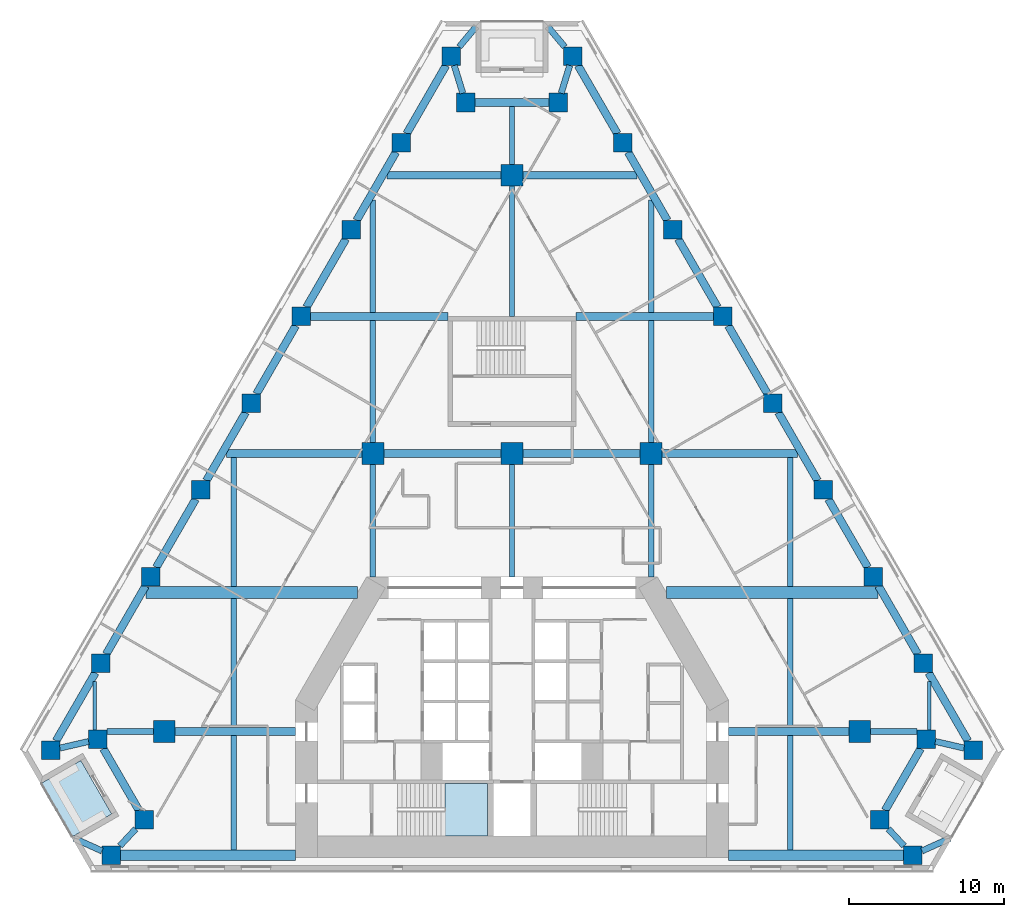
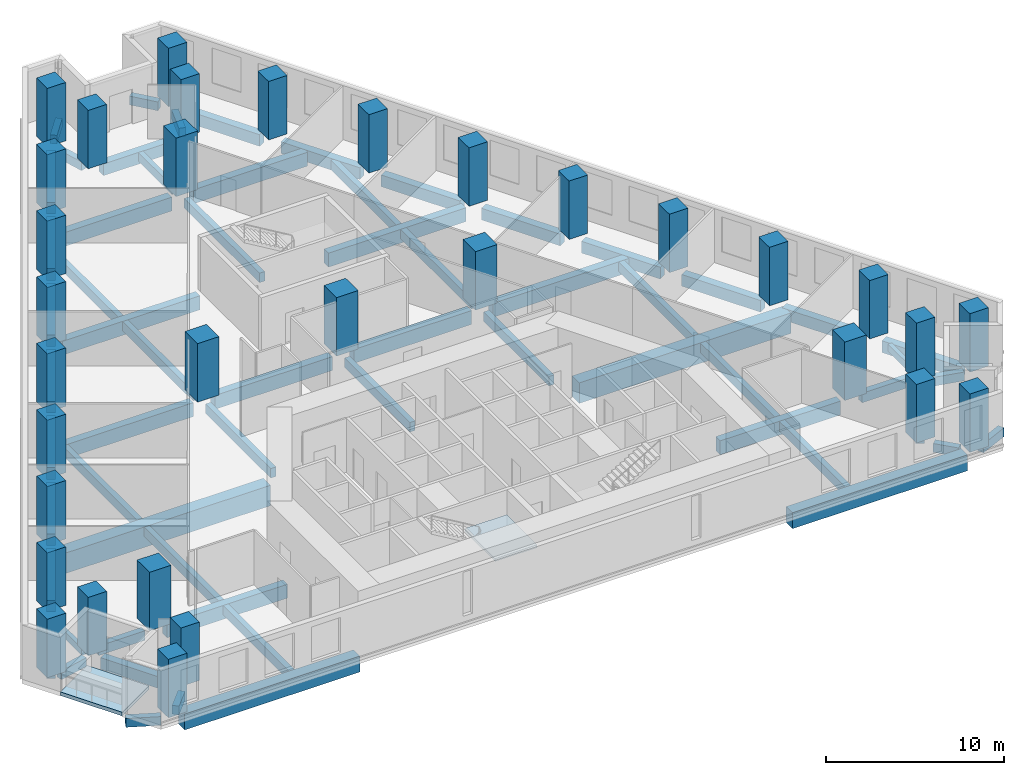
# One storey, part 1 of 11: 62 beams, 32 columns, 2 slabs, 1 element without a shape of its own.
"""IFC4 building model written with IfcOpenShell, lengths in metres."""

from ifc_helpers import new_model, si_unit, direction, frame, origin, origin_2d, place, context, subcontext, project, spatial, polyline, rectangle, outline, extrude, material, layer, layer_set, material_profile, profile_set, type_object, element, aggregate, save


model = new_model("IFC4")

# Units and contexts
model_context = context("Model", 3, precision=1e-05, world=origin(), true_north=direction((0.0, 1.0)))
body_context = subcontext(model_context, "Body", "Model", "MODEL_VIEW")
ifc_project = project(units=[si_unit("LENGTHUNIT", "METRE"), si_unit("AREAUNIT", "SQUARE_METRE"), si_unit("VOLUMEUNIT", "CUBIC_METRE"), si_unit("PLANEANGLEUNIT", "RADIAN"), si_unit("MASSUNIT", "GRAM", prefix="KILO")], contexts=[model_context])

# Site, building, storey
site_placement = place(None, origin())
site = spatial("IfcSite", under=ifc_project, at=site_placement, CompositionType="ELEMENT")
building_placement = place(site_placement, origin())
building = spatial("IfcBuilding", under=site, at=building_placement, Name="Fogline Exchange Tower", CompositionType="ELEMENT")
storey_placement = place(building_placement, frame((0.0, 0.0, 60.89990234375)))
storey = spatial("IfcBuildingStorey", under=building, at=storey_placement, Name="L12", CompositionType="ELEMENT", Elevation=60.89990234375)

# Columns
ifc_material_1 = material(Name="Concrete C80", Category="concrete")
ifc_material_profile_1 = material_profile(ifc_material_1, rectangle(XDim=1.199951171875, YDim=1.199951171875, at=origin_2d()), Name="RC 1200x1200")
ifc_profile_set_1 = profile_set([ifc_material_profile_1], Name="Concrete C80")
column_type_1 = type_object("IfcColumnType", Name="C01", PredefinedType="COLUMN", material=ifc_profile_set_1)
for number, where, z_axis, x_axis, name in (
    (1, (-29.855712890625, 7.794189453125, 0.0), (0.0, 0.0, 1.0), (1.0, 0.0, 0.0), "SW-a"),
    (2, (-26.79638671875, 8.4951171875, 0.0), (0.0, 0.0, 1.0), (1.0, 0.0, 0.0), "SW-p4"),
    (3, (-23.79638671875, 3.299072265625, 0.0), (0.0, 0.0, 1.0), (1.0, 0.0, 0.0), "SW-p3"),
    (4, (-25.93310546875, 1.0, 0.0), (0.0, 0.0, 1.0), (1.0, 0.0, 0.0), "SW-b"),
    (5, (25.93310546875, 1.0, 0.0), (0.0, 0.0, 1.0), (1.0, 0.0, 0.0), "SE-a"),
    (6, (23.79638671875, 3.299072265625, 0.0), (0.0, 0.0, 1.0), (1.0, 0.0, 0.0), "SE-p4"),
    (7, (26.79638671875, 8.4951171875, 0.0), (0.0, 0.0, 1.0), (1.0, 0.0, 0.0), "SE-p3"),
    (8, (29.855712890625, 7.794189453125, 0.0), (0.0, 0.0, 1.0), (1.0, 0.0, 0.0), "SE-b"),
    (9, (26.614013671875, 13.408935546875, 0.0), (0.0, 0.0, 1.0), (1.0, 0.0, 0.0), "E1"),
    (10, (23.37255859375, 19.023681640625, 0.0), (0.0, 0.0, 1.0), (1.0, 0.0, 0.0), "E2"),
    (11, (20.130859375, 24.63818359375, 0.0), (0.0, 0.0, 1.0), (1.0, 0.0, 0.0), "E3"),
    (12, (16.88916015625, 30.2529296875, 0.0), (0.0, 0.0, 1.0), (1.0, 0.0, 0.0), "E4"),
    (13, (13.647705078125, 35.86767578125, 0.0), (0.0, 0.0, 1.0), (1.0, 0.0, 0.0), "E5"),
    (14, (10.406005859375, 41.482421875, 0.0), (0.0, 0.0, 1.0), (1.0, 0.0, 0.0), "E6"),
    (15, (7.164306640625, 47.096923828125, 0.0), (0.0, 0.0, 1.0), (1.0, 0.0, 0.0), "E7"),
    (16, (3.922607421875, 52.711669921875, 0.0), (0.0, 0.0, 1.0), (1.0, 0.0, 0.0), "N-a"),
    (17, (3.0, 49.711669921875, 0.0), (0.0, 0.0, 1.0), (1.0, 0.0, 0.0), "N-p4"),
    (18, (-3.0, 49.711669921875, 0.0), (0.0, 0.0, 1.0), (1.0, 0.0, 0.0), "N-p3"),
    (19, (-3.922607421875, 52.711669921875, 0.0), (0.0, 0.0, 1.0), (1.0, 0.0, 0.0), "N-b"),
    (20, (-7.164306640625, 47.096923828125, 0.0), (0.0, 0.0, 1.0), (1.0, 0.0, 0.0), "W1"),
    (21, (-10.406005859375, 41.482421875, 0.0), (0.0, 0.0, 1.0), (1.0, 0.0, 0.0), "W2"),
    (22, (-13.647705078125, 35.86767578125, 0.0), (0.0, 0.0, 1.0), (1.0, 0.0, 0.0), "W3"),
    (23, (-16.88916015625, 30.2529296875, 0.0), (0.0, 0.0, 1.0), (1.0, 0.0, 0.0), "W4"),
    (24, (-20.130859375, 24.63818359375, 0.0), (0.0, 0.0, 1.0), (1.0, 0.0, 0.0), "W5"),
    (25, (-23.37255859375, 19.023681640625, 0.0), (0.0, 0.0, 1.0), (1.0, 0.0, 0.0), "W6"),
    (26, (-26.614013671875, 13.408935546875, 0.0), (0.0, 0.0, 1.0), (1.0, 0.0, 0.0), "W7"),
):
    element("IfcColumn", number, at=place(storey_placement, frame(where, z_axis=z_axis, x_axis=x_axis)), inside=storey, type_object=column_type_1, Name=name, PredefinedType="COLUMN", context=body_context, shape_type="SweptSolid", body=[
        extrude(rectangle(XDim=1.199951171875, YDim=1.199951171875, at=origin_2d()), origin(), (0.0, 0.0, 1.0), 4.0),
    ])
ifc_material_profile_2 = material_profile(ifc_material_1, rectangle(XDim=1.39990234375, YDim=1.39990234375, at=origin_2d()), Name="RC 1400x1400")
ifc_profile_set_2 = profile_set([ifc_material_profile_2], Name="Concrete C80")
column_type_2 = type_object("IfcColumnType", Name="C02", PredefinedType="COLUMN", material=ifc_profile_set_2)
for number, where, z_axis, x_axis, name in (
    (27, (-9.0, 27.0, 0.0), (0.0, 0.0, 1.0), (1.0, 0.0, 0.0), "IC--9-27"),
    (28, (0.0, 27.0, 0.0), (0.0, 0.0, 1.0), (1.0, 0.0, 0.0), "IC-0-27"),
    (29, (9.0, 27.0, 0.0), (0.0, 0.0, 1.0), (1.0, 0.0, 0.0), "IC-9-27"),
    (30, (0.0, 45.0, 0.0), (0.0, 0.0, 1.0), (1.0, 0.0, 0.0), "IC-0-45"),
    (31, (-22.5, 9.0, 0.0), (0.0, 0.0, 1.0), (1.0, 0.0, 0.0), "IC--225-9"),
    (32, (22.5, 9.0, 0.0), (0.0, 0.0, 1.0), (1.0, 0.0, 0.0), "IC-225-9"),
):
    element("IfcColumn", number, at=place(storey_placement, frame(where, z_axis=z_axis, x_axis=x_axis)), inside=storey, type_object=column_type_2, Name=name, PredefinedType="COLUMN", context=body_context, shape_type="SweptSolid", body=[
        extrude(rectangle(XDim=1.39990234375, YDim=1.39990234375, at=origin_2d()), origin(), (0.0, 0.0, 1.0), 4.0),
    ])

# Beams
ifc_material_2 = material(Name="Concrete C40", Category="concrete")
ifc_material_profile_3 = material_profile(ifc_material_2, rectangle(XDim=0.300048828125, YDim=0.60009765625, at=origin_2d()), Name="RC 300x600")
ifc_profile_set_3 = profile_set([ifc_material_profile_3], Name="Concrete C40")
beam_type_1 = type_object("IfcBeamType", Name="B06", PredefinedType="BEAM", material=ifc_profile_set_3)
beam_1_placement = place(storey_placement, frame((0.0, 45.699951171875, -0.599853515625), z_axis=(0.0, 1.0, 0.0), x_axis=(-1.0, 0.0, 0.0)))
element("IfcBeam", 33, at=beam_1_placement, inside=storey, type_object=beam_type_1, Name="SB010", PredefinedType="BEAM", context=body_context, shape_type="SweptSolid", body=[
    extrude(rectangle(XDim=0.300048828125, YDim=0.60009765625, at=origin_2d()), origin(), (0.0, 0.0, 1.0), 3.76171875),
])
ifc_material_profile_4 = material_profile(ifc_material_2, rectangle(XDim=0.25, YDim=0.5, at=origin_2d()), Name="RC 250x500")
ifc_profile_set_4 = profile_set([ifc_material_profile_4], Name="Concrete C40")
beam_type_2 = type_object("IfcBeamType", Name="B08", PredefinedType="BEAM", material=ifc_profile_set_4)
for number, where, z_axis, x_axis, name in (
    (34, (-27.0, 9.09521484375, -0.5498046875), (0.0, 1.0, 0.0), (-1.0, 0.0, 0.0), "SB001"),
    (35, (27.0, 9.09521484375, -0.5498046875), (0.0, 1.0, 0.0), (-1.0, 0.0, 0.0), "SB017"),
):
    element("IfcBeam", number, at=place(storey_placement, frame(where, z_axis=z_axis, x_axis=x_axis)), inside=storey, type_object=beam_type_2, Name=name, PredefinedType="BEAM", context=body_context, shape_type="SweptSolid", body=[
        extrude(rectangle(XDim=0.25, YDim=0.5, at=origin_2d()), origin(), (0.0, 0.0, 1.0), 3.145263671875),
    ])
ifc_material_profile_5 = material_profile(ifc_material_2, rectangle(XDim=0.5, YDim=0.800048828125, at=origin_2d()), Name="RC 500x800")
ifc_profile_set_5 = profile_set([ifc_material_profile_5], Name="Concrete C40")
beam_type_3 = type_object("IfcBeamType", Name="B10", PredefinedType="BEAM", material=ifc_profile_set_5)
for number, where, z_axis, x_axis, name in (
    (36, (-26.449951171875, 7.895263671875, -0.699951171875), (0.500014024385, -0.866017306651, 0.0), (0.866017306651, 0.500014024385, 0.0), "RB002"),
    (37, (24.142578125, 3.89892578125, -0.699951171875), (0.500014024385, 0.866017306651, 0.0), (-0.866017306651, 0.500014024385, 0.0), "RB007"),
):
    element("IfcBeam", number, at=place(storey_placement, frame(where, z_axis=z_axis, x_axis=x_axis)), inside=storey, type_object=beam_type_3, Name=name, PredefinedType="BEAM", context=body_context, shape_type="SweptSolid", body=[
        extrude(rectangle(XDim=0.5, YDim=0.800048828125, at=origin_2d()), origin(), (0.0, 0.0, 1.0), 4.614501953125),
    ])
beam_2_placement = place(storey_placement, frame((29.50927734375, 8.394287109375, -0.699951171875), z_axis=(-0.500012659481, 0.866018094706, 0.0), x_axis=(-0.866018094706, -0.500012659481, 0.0)))
element("IfcBeam", 38, at=beam_2_placement, inside=storey, type_object=beam_type_3, Name="RB009", PredefinedType="BEAM", context=body_context, shape_type="SweptSolid", body=[
    extrude(rectangle(XDim=0.5, YDim=0.800048828125, at=origin_2d()), origin(), (0.0, 0.0, 1.0), 5.097412109375),
])
for number, where, z_axis, x_axis, name in (
    (39, (26.267578125, 14.0087890625, -0.699951171875), (-0.499956000529, 0.8660508054, 0.0), (-0.8660508054, -0.499956000529, 0.0), "RB010"),
    (40, (23.026123046875, 19.62353515625, -0.699951171875), (-0.499991921166, 0.866030068051, 0.0), (-0.866030068051, -0.499991921166, 0.0), "RB011"),
):
    element("IfcBeam", number, at=place(storey_placement, frame(where, z_axis=z_axis, x_axis=x_axis)), inside=storey, type_object=beam_type_3, Name=name, PredefinedType="BEAM", context=body_context, shape_type="SweptSolid", body=[
        extrude(rectangle(XDim=0.5, YDim=0.800048828125, at=origin_2d()), origin(), (0.0, 0.0, 1.0), 5.09765625),
    ])
beam_3_placement = place(storey_placement, frame((19.784423828125, 25.23828125, -0.699951171875), z_axis=(-0.500012659481, 0.866018094706, 0.0), x_axis=(-0.866018094706, -0.500012659481, 0.0)))
element("IfcBeam", 41, at=beam_3_placement, inside=storey, type_object=beam_type_3, Name="RB012", PredefinedType="BEAM", context=body_context, shape_type="SweptSolid", body=[
    extrude(rectangle(XDim=0.5, YDim=0.800048828125, at=origin_2d()), origin(), (0.0, 0.0, 1.0), 5.097412109375),
])
for number, where, z_axis, x_axis, name in (
    (42, (16.542724609375, 30.852783203125, -0.699951171875), (-0.499991921166, 0.866030068051, 0.0), (-0.866030068051, -0.499991921166, 0.0), "RB013"),
    (43, (13.301025390625, 36.467529296875, -0.699951171875), (-0.499991921166, 0.866030068051, 0.0), (-0.866030068051, -0.499991921166, 0.0), "RB014"),
    (44, (10.0595703125, 42.082275390625, -0.699951171875), (-0.499991921166, 0.866030068051, 0.0), (-0.866030068051, -0.499991921166, 0.0), "RB015"),
    (45, (6.81787109375, 47.697021484375, -0.699951171875), (-0.499991921166, 0.866030068051, 0.0), (-0.866030068051, -0.499991921166, 0.0), "RB016"),
):
    element("IfcBeam", number, at=place(storey_placement, frame(where, z_axis=z_axis, x_axis=x_axis)), inside=storey, type_object=beam_type_3, Name=name, PredefinedType="BEAM", context=body_context, shape_type="SweptSolid", body=[
        extrude(rectangle(XDim=0.5, YDim=0.800048828125, at=origin_2d()), origin(), (0.0, 0.0, 1.0), 5.09765625),
    ])
beam_4_placement = place(storey_placement, frame((2.39990234375, 49.711669921875, -0.699951171875), z_axis=(-1.0, 0.0, 0.0), x_axis=(0.0, -1.0, 0.0)))
element("IfcBeam", 46, at=beam_4_placement, inside=storey, type_object=beam_type_3, Name="RB018", PredefinedType="BEAM", context=body_context, shape_type="SweptSolid", body=[
    extrude(rectangle(XDim=0.5, YDim=0.800048828125, at=origin_2d()), origin(), (0.0, 0.0, 1.0), 4.7998046875),
])
for number, where, z_axis, x_axis, name in (
    (47, (-4.26904296875, 52.11181640625, -0.699951171875), (-0.499991921166, -0.866030068051, 0.0), (0.866030068051, -0.499991921166, 0.0), "RB020"),
    (48, (-7.5107421875, 46.4970703125, -0.699951171875), (-0.499991921166, -0.866030068051, 0.0), (0.866030068051, -0.499991921166, 0.0), "RB021"),
    (49, (-10.752197265625, 40.88232421875, -0.699951171875), (-0.499991921166, -0.866030068051, 0.0), (0.866030068051, -0.499991921166, 0.0), "RB022"),
    (50, (-13.993896484375, 35.267578125, -0.699951171875), (-0.499991921166, -0.866030068051, 0.0), (0.866030068051, -0.499991921166, 0.0), "RB023"),
):
    element("IfcBeam", number, at=place(storey_placement, frame(where, z_axis=z_axis, x_axis=x_axis)), inside=storey, type_object=beam_type_3, Name=name, PredefinedType="BEAM", context=body_context, shape_type="SweptSolid", body=[
        extrude(rectangle(XDim=0.5, YDim=0.800048828125, at=origin_2d()), origin(), (0.0, 0.0, 1.0), 5.09765625),
    ])
beam_5_placement = place(storey_placement, frame((-17.235595703125, 29.65283203125, -0.699951171875), z_axis=(-0.500012659481, -0.866018094706, 0.0), x_axis=(0.866018094706, -0.500012659481, 0.0)))
element("IfcBeam", 51, at=beam_5_placement, inside=storey, type_object=beam_type_3, Name="RB024", PredefinedType="BEAM", context=body_context, shape_type="SweptSolid", body=[
    extrude(rectangle(XDim=0.5, YDim=0.800048828125, at=origin_2d()), origin(), (0.0, 0.0, 1.0), 5.097412109375),
])
for number, where, z_axis, x_axis, name in (
    (52, (-20.477294921875, 24.038330078125, -0.699951171875), (-0.499991921166, -0.866030068051, 0.0), (0.866030068051, -0.499991921166, 0.0), "RB025"),
    (53, (-23.718994140625, 18.423583984375, -0.699951171875), (-0.499956000529, -0.8660508054, 0.0), (0.8660508054, -0.499956000529, 0.0), "RB026"),
):
    element("IfcBeam", number, at=place(storey_placement, frame(where, z_axis=z_axis, x_axis=x_axis)), inside=storey, type_object=beam_type_3, Name=name, PredefinedType="BEAM", context=body_context, shape_type="SweptSolid", body=[
        extrude(rectangle(XDim=0.5, YDim=0.800048828125, at=origin_2d()), origin(), (0.0, 0.0, 1.0), 5.09765625),
    ])
beam_6_placement = place(storey_placement, frame((-26.96044921875, 12.808837890625, -0.699951171875), z_axis=(-0.500012659481, -0.866018094706, 0.0), x_axis=(0.866018094706, -0.500012659481, 0.0)))
element("IfcBeam", 54, at=beam_6_placement, inside=storey, type_object=beam_type_3, Name="RB027", PredefinedType="BEAM", context=body_context, shape_type="SweptSolid", body=[
    extrude(rectangle(XDim=0.5, YDim=0.800048828125, at=origin_2d()), origin(), (0.0, 0.0, 1.0), 5.097412109375),
])
ifc_material_profile_6 = material_profile(ifc_material_2, rectangle(XDim=0.39990234375, YDim=0.60009765625, at=origin_2d()), Name="RC 400x600")
ifc_profile_set_6 = profile_set([ifc_material_profile_6], Name="Concrete C40")
beam_type_4 = type_object("IfcBeamType", Name="B11", PredefinedType="BEAM", material=ifc_profile_set_6)
beam_7_placement = place(storey_placement, frame((-29.255615234375, 7.931640625, -0.599853515625), z_axis=(0.974741606569, 0.223335622829, 0.0), x_axis=(-0.223335622829, 0.974741606569, 0.0)))
element("IfcBeam", 55, at=beam_7_placement, inside=storey, type_object=beam_type_4, Name="RB001", PredefinedType="BEAM", context=body_context, shape_type="SweptSolid", body=[
    extrude(rectangle(XDim=0.39990234375, YDim=0.60009765625, at=origin_2d()), origin(), (0.0, 0.0, 1.0), 1.907470703125),
])
for number, where, z_axis, x_axis, name in (
    (56, (-24.35400390625, 2.698974609375, -0.599853515625), (-0.680844217962, -0.732428256464, 0.0), (0.732428256464, -0.680844217962, 0.0), "RB003"),
    (57, (25.37548828125, 1.60009765625, -0.599853515625), (-0.680844217962, 0.732428256464, 0.0), (-0.732428256464, -0.680844217962, 0.0), "RB006"),
):
    element("IfcBeam", number, at=place(storey_placement, frame(where, z_axis=z_axis, x_axis=x_axis)), inside=storey, type_object=beam_type_4, Name=name, PredefinedType="BEAM", context=body_context, shape_type="SweptSolid", body=[
        extrude(rectangle(XDim=0.39990234375, YDim=0.60009765625, at=origin_2d()), origin(), (0.0, 0.0, 1.0), 1.500244140625),
    ])
beam_8_placement = place(storey_placement, frame((27.396240234375, 8.357666015625, -0.599853515625), z_axis=(0.974741606569, -0.223335622829, 0.0), x_axis=(0.223335622829, 0.974741606569, 0.0)))
element("IfcBeam", 58, at=beam_8_placement, inside=storey, type_object=beam_type_4, Name="RB008", PredefinedType="BEAM", context=body_context, shape_type="SweptSolid", body=[
    extrude(rectangle(XDim=0.39990234375, YDim=0.60009765625, at=origin_2d()), origin(), (0.0, 0.0, 1.0), 1.907470703125),
])
for number, where, z_axis, x_axis, name in (
    (59, (3.738037109375, 52.11181640625, -0.599853515625), (-0.293894535925, -0.955837853275, 0.0), (0.955837853275, -0.293894535925, 0.0), "RB017"),
    (60, (-3.1845703125, 50.311767578125, -0.599853515625), (-0.293894535925, 0.955837853275, 0.0), (-0.955837853275, -0.293894535925, 0.0), "RB019"),
):
    element("IfcBeam", number, at=place(storey_placement, frame(where, z_axis=z_axis, x_axis=x_axis)), inside=storey, type_object=beam_type_4, Name=name, PredefinedType="BEAM", context=body_context, shape_type="SweptSolid", body=[
        extrude(rectangle(XDim=0.39990234375, YDim=0.60009765625, at=origin_2d()), origin(), (0.0, 0.0, 1.0), 1.88330078125),
    ])
beam_9_placement = place(storey_placement, frame((3.418701171875, 53.311767578125, -0.599853515625), z_axis=(-0.643051132195, 0.765823244217, 0.0), x_axis=(-0.765823244217, -0.643051132195, 0.0)))
element("IfcBeam", 61, at=beam_9_placement, inside=storey, type_object=beam_type_4, Name="SP028", PredefinedType="BEAM", context=body_context, shape_type="SweptSolid", body=[
    extrude(rectangle(XDim=0.39990234375, YDim=0.60009765625, at=origin_2d()), origin(), (0.0, 0.0, 1.0), 1.706298828125),
])
beam_10_placement = place(storey_placement, frame((-3.41943359375, 53.311767578125, -0.599853515625), z_axis=(0.642644786518, 0.766164263303, 0.0), x_axis=(-0.766164263303, 0.642644786518, 0.0)))
element("IfcBeam", 62, at=beam_10_placement, inside=storey, type_object=beam_type_4, Name="SP029", PredefinedType="BEAM", context=body_context, shape_type="SweptSolid", body=[
    extrude(rectangle(XDim=0.39990234375, YDim=0.60009765625, at=origin_2d()), origin(), (0.0, 0.0, 1.0), 1.705810546875),
])
beam_11_placement = place(storey_placement, frame((26.533203125, 1.27197265625, -0.599853515625), z_axis=(0.91087792789, 0.412675902473, 0.0), x_axis=(-0.412675902473, 0.91087792789, 0.0)))
element("IfcBeam", 63, at=beam_11_placement, inside=storey, type_object=beam_type_4, Name="SP030", PredefinedType="BEAM", context=body_context, shape_type="SweptSolid", body=[
    extrude(rectangle(XDim=0.39990234375, YDim=0.60009765625, at=origin_2d()), origin(), (0.0, 0.0, 1.0), 1.975341796875),
])
beam_12_placement = place(storey_placement, frame((-26.533203125, 1.271484375, -0.599853515625), z_axis=(-0.911050486543, 0.412294810748, 0.0), x_axis=(-0.412294810748, -0.911050486543, 0.0)))
element("IfcBeam", 64, at=beam_12_placement, inside=storey, type_object=beam_type_4, Name="SP031", PredefinedType="BEAM", context=body_context, shape_type="SweptSolid", body=[
    extrude(rectangle(XDim=0.39990234375, YDim=0.60009765625, at=origin_2d()), origin(), (0.0, 0.0, 1.0), 1.9765625),
])
ifc_material_profile_7 = material_profile(ifc_material_2, rectangle(XDim=0.699951171875, YDim=1.10009765625, at=origin_2d()), Name="RC 700x1100")
ifc_profile_set_7 = profile_set([ifc_material_profile_7], Name="Concrete C40")
beam_type_5 = type_object("IfcBeamType", Name="B12", PredefinedType="BEAM", material=ifc_profile_set_7)
for number, where, z_axis, x_axis, name in (
    (65, (-25.3330078125, 1.0, -0.849853515625), (1.0, 0.0, 0.0), (0.0, 1.0, 0.0), "RB004"),
    (66, (14.0, 1.0, -0.849853515625), (1.0, 0.0, 0.0), (0.0, 1.0, 0.0), "RB005"),
):
    element("IfcBeam", number, at=place(storey_placement, frame(where, z_axis=z_axis, x_axis=x_axis)), inside=storey, type_object=beam_type_5, Name=name, PredefinedType="BEAM", context=body_context, shape_type="SweptSolid", body=[
        extrude(rectangle(XDim=0.699951171875, YDim=1.10009765625, at=origin_2d()), origin(), (0.0, 0.0, 1.0), 11.3330078125),
    ])
ifc_material_profile_8 = material_profile(ifc_material_2, rectangle(XDim=0.39990234375, YDim=0.64990234375, at=origin_2d()), Name="RC 400x650")
ifc_profile_set_8 = profile_set([ifc_material_profile_8], Name="Concrete C40")
beam_type_6 = type_object("IfcBeamType", Name="B13", PredefinedType="BEAM", material=ifc_profile_set_8)
for number, where, z_axis, x_axis, name in (
    (67, (-26.1962890625, 9.0, -0.625), (1.0, 0.0, 0.0), (0.0, 1.0, 0.0), "GB001"),
    (68, (23.199951171875, 9.0, -0.625), (1.0, 0.0, 0.0), (0.0, 1.0, 0.0), "GB004"),
):
    element("IfcBeam", number, at=place(storey_placement, frame(where, z_axis=z_axis, x_axis=x_axis)), inside=storey, type_object=beam_type_6, Name=name, PredefinedType="BEAM", context=body_context, shape_type="SweptSolid", body=[
        extrude(rectangle(XDim=0.39990234375, YDim=0.64990234375, at=origin_2d()), origin(), (0.0, 0.0, 1.0), 2.996337890625),
    ])
ifc_material_profile_9 = material_profile(ifc_material_2, rectangle(XDim=0.5, YDim=0.949951171875, at=origin_2d()), Name="RC 500x950")
ifc_profile_set_9 = profile_set([ifc_material_profile_9], Name="Concrete C40")
beam_type_7 = type_object("IfcBeamType", Name="B14", PredefinedType="BEAM", material=ifc_profile_set_9)
for number, where, z_axis, x_axis, name in (
    (69, (-21.800048828125, 9.0, -0.77490234375), (1.0, 0.0, 0.0), (0.0, 1.0, 0.0), "GB002"),
    (70, (14.0, 9.0, -0.77490234375), (1.0, 0.0, 0.0), (0.0, 1.0, 0.0), "GB003"),
):
    element("IfcBeam", number, at=place(storey_placement, frame(where, z_axis=z_axis, x_axis=x_axis)), inside=storey, type_object=beam_type_7, Name=name, PredefinedType="BEAM", context=body_context, shape_type="SweptSolid", body=[
        extrude(rectangle(XDim=0.5, YDim=0.949951171875, at=origin_2d()), origin(), (0.0, 0.0, 1.0), 7.800048828125),
    ])
beam_13_placement = place(storey_placement, frame((-18.478515625, 27.0, -0.77490234375), z_axis=(1.0, 0.0, 0.0), x_axis=(0.0, 1.0, 0.0)))
element("IfcBeam", 71, at=beam_13_placement, inside=storey, type_object=beam_type_7, Name="GB007", PredefinedType="BEAM", context=body_context, shape_type="SweptSolid", body=[
    extrude(rectangle(XDim=0.5, YDim=0.949951171875, at=origin_2d()), origin(), (0.0, 0.0, 1.0), 8.778564453125),
])
for number, where, z_axis, x_axis, name in (
    (72, (-8.300048828125, 27.0, -0.77490234375), (1.0, 0.0, 0.0), (0.0, 1.0, 0.0), "GB008"),
    (73, (0.699951171875, 27.0, -0.77490234375), (1.0, 0.0, 0.0), (0.0, 1.0, 0.0), "GB009"),
):
    element("IfcBeam", number, at=place(storey_placement, frame(where, z_axis=z_axis, x_axis=x_axis)), inside=storey, type_object=beam_type_7, Name=name, PredefinedType="BEAM", context=body_context, shape_type="SweptSolid", body=[
        extrude(rectangle(XDim=0.5, YDim=0.949951171875, at=origin_2d()), origin(), (0.0, 0.0, 1.0), 7.60009765625),
    ])
beam_14_placement = place(storey_placement, frame((9.699951171875, 27.0, -0.77490234375), z_axis=(1.0, 0.0, 0.0), x_axis=(0.0, 1.0, 0.0)))
element("IfcBeam", 74, at=beam_14_placement, inside=storey, type_object=beam_type_7, Name="GB010", PredefinedType="BEAM", context=body_context, shape_type="SweptSolid", body=[
    extrude(rectangle(XDim=0.5, YDim=0.949951171875, at=origin_2d()), origin(), (0.0, 0.0, 1.0), 8.778564453125),
])
for number, where, z_axis, x_axis, name in (
    (75, (-13.047607421875, 35.85693359375, -0.77490234375), (1.0, 0.0, 0.0), (0.0, 1.0, 0.0), "GB011"),
    (76, (4.14990234375, 35.85693359375, -0.77490234375), (1.0, 0.0, 0.0), (0.0, 1.0, 0.0), "GB012"),
):
    element("IfcBeam", number, at=place(storey_placement, frame(where, z_axis=z_axis, x_axis=x_axis)), inside=storey, type_object=beam_type_7, Name=name, PredefinedType="BEAM", context=body_context, shape_type="SweptSolid", body=[
        extrude(rectangle(XDim=0.5, YDim=0.949951171875, at=origin_2d()), origin(), (0.0, 0.0, 1.0), 8.897705078125),
    ])
for number, where, z_axis, x_axis, name in (
    (77, (-8.086181640625, 45.0, -0.77490234375), (1.0, 0.0, 0.0), (0.0, 1.0, 0.0), "GB013"),
    (78, (0.699951171875, 45.0, -0.77490234375), (1.0, 0.0, 0.0), (0.0, 1.0, 0.0), "GB014"),
):
    element("IfcBeam", number, at=place(storey_placement, frame(where, z_axis=z_axis, x_axis=x_axis)), inside=storey, type_object=beam_type_7, Name=name, PredefinedType="BEAM", context=body_context, shape_type="SweptSolid", body=[
        extrude(rectangle(XDim=0.5, YDim=0.949951171875, at=origin_2d()), origin(), (0.0, 0.0, 1.0), 7.38623046875),
    ])
ifc_material_profile_10 = material_profile(ifc_material_2, rectangle(XDim=0.800048828125, YDim=1.39990234375, at=origin_2d()), Name="RC 800x1400")
ifc_profile_set_10 = profile_set([ifc_material_profile_10], Name="Concrete C40")
beam_type_8 = type_object("IfcBeamType", Name="B15", PredefinedType="BEAM", material=ifc_profile_set_10)
for number, where, z_axis, x_axis, name in (
    (79, (-23.6748046875, 18.0, -1.0), (1.0, 0.0, 0.0), (0.0, 1.0, 0.0), "GB005"),
    (80, (9.989013671875, 18.0, -1.0), (1.0, 0.0, 0.0), (0.0, 1.0, 0.0), "GB006"),
):
    element("IfcBeam", number, at=place(storey_placement, frame(where, z_axis=z_axis, x_axis=x_axis)), inside=storey, type_object=beam_type_8, Name=name, PredefinedType="BEAM", context=body_context, shape_type="SweptSolid", body=[
        extrude(rectangle(XDim=0.800048828125, YDim=1.39990234375, at=origin_2d()), origin(), (0.0, 0.0, 1.0), 13.685791015625),
    ])
ifc_material_profile_11 = material_profile(ifc_material_2, rectangle(XDim=0.35009765625, YDim=0.64990234375, at=origin_2d()), Name="RC 350x650")
ifc_profile_set_11 = profile_set([ifc_material_profile_11], Name="Concrete C40")
beam_type_9 = type_object("IfcBeamType", Name="B16", PredefinedType="BEAM", material=ifc_profile_set_11)
beam_15_placement = place(storey_placement, frame((-18.0, 1.35009765625, -0.625), z_axis=(0.0, 1.0, 0.0), x_axis=(-1.0, 0.0, 0.0)))
element("IfcBeam", 81, at=beam_15_placement, inside=storey, type_object=beam_type_9, Name="SB002", PredefinedType="BEAM", context=body_context, shape_type="SweptSolid", body=[
    extrude(rectangle(XDim=0.35009765625, YDim=0.64990234375, at=origin_2d()), origin(), (0.0, 0.0, 1.0), 7.39990234375),
])
for number, where, z_axis, x_axis, name in (
    (82, (-18.0, 9.25, -0.625), (0.0, 1.0, 0.0), (-1.0, 0.0, 0.0), "SB003"),
    (83, (-18.0, 18.39990234375, -0.625), (0.0, 1.0, 0.0), (-1.0, 0.0, 0.0), "SB004"),
):
    element("IfcBeam", number, at=place(storey_placement, frame(where, z_axis=z_axis, x_axis=x_axis)), inside=storey, type_object=beam_type_9, Name=name, PredefinedType="BEAM", context=body_context, shape_type="SweptSolid", body=[
        extrude(rectangle(XDim=0.35009765625, YDim=0.64990234375, at=origin_2d()), origin(), (0.0, 0.0, 1.0), 8.35009765625),
    ])
beam_16_placement = place(storey_placement, frame((-9.0, 19.0, -0.625), z_axis=(0.0, 1.0, 0.0), x_axis=(-1.0, 0.0, 0.0)))
element("IfcBeam", 84, at=beam_16_placement, inside=storey, type_object=beam_type_9, Name="SB005", PredefinedType="BEAM", context=body_context, shape_type="SweptSolid", body=[
    extrude(rectangle(XDim=0.35009765625, YDim=0.64990234375, at=origin_2d()), origin(), (0.0, 0.0, 1.0), 7.300048828125),
])
beam_17_placement = place(storey_placement, frame((-9.0, 27.699951171875, -0.625), z_axis=(0.0, 1.0, 0.0), x_axis=(-1.0, 0.0, 0.0)))
element("IfcBeam", 85, at=beam_17_placement, inside=storey, type_object=beam_type_9, Name="SB006", PredefinedType="BEAM", context=body_context, shape_type="SweptSolid", body=[
    extrude(rectangle(XDim=0.35009765625, YDim=0.64990234375, at=origin_2d()), origin(), (0.0, 0.0, 1.0), 7.906982421875),
])
beam_18_placement = place(storey_placement, frame((-9.0, 36.10693359375, -0.625), z_axis=(0.0, 1.0, 0.0), x_axis=(-1.0, 0.0, 0.0)))
element("IfcBeam", 86, at=beam_18_placement, inside=storey, type_object=beam_type_9, Name="SB007", PredefinedType="BEAM", context=body_context, shape_type="SweptSolid", body=[
    extrude(rectangle(XDim=0.35009765625, YDim=0.64990234375, at=origin_2d()), origin(), (0.0, 0.0, 1.0), 7.310546875),
])
beam_19_placement = place(storey_placement, frame((0.0, 19.0, -0.625), z_axis=(0.0, 1.0, 0.0), x_axis=(-1.0, 0.0, 0.0)))
element("IfcBeam", 87, at=beam_19_placement, inside=storey, type_object=beam_type_9, Name="SB008", PredefinedType="BEAM", context=body_context, shape_type="SweptSolid", body=[
    extrude(rectangle(XDim=0.35009765625, YDim=0.64990234375, at=origin_2d()), origin(), (0.0, 0.0, 1.0), 7.300048828125),
])
beam_20_placement = place(storey_placement, frame((0.0, 35.85693359375, -0.625), z_axis=(0.0, 1.0, 0.0), x_axis=(-1.0, 0.0, 0.0)))
element("IfcBeam", 88, at=beam_20_placement, inside=storey, type_object=beam_type_9, Name="SB009", PredefinedType="BEAM", context=body_context, shape_type="SweptSolid", body=[
    extrude(rectangle(XDim=0.35009765625, YDim=0.64990234375, at=origin_2d()), origin(), (0.0, 0.0, 1.0), 8.443115234375),
])
beam_21_placement = place(storey_placement, frame((9.0, 19.0, -0.625), z_axis=(0.0, 1.0, 0.0), x_axis=(-1.0, 0.0, 0.0)))
element("IfcBeam", 89, at=beam_21_placement, inside=storey, type_object=beam_type_9, Name="SB011", PredefinedType="BEAM", context=body_context, shape_type="SweptSolid", body=[
    extrude(rectangle(XDim=0.35009765625, YDim=0.64990234375, at=origin_2d()), origin(), (0.0, 0.0, 1.0), 7.300048828125),
])
beam_22_placement = place(storey_placement, frame((9.0, 27.699951171875, -0.625), z_axis=(0.0, 1.0, 0.0), x_axis=(-1.0, 0.0, 0.0)))
element("IfcBeam", 90, at=beam_22_placement, inside=storey, type_object=beam_type_9, Name="SB012", PredefinedType="BEAM", context=body_context, shape_type="SweptSolid", body=[
    extrude(rectangle(XDim=0.35009765625, YDim=0.64990234375, at=origin_2d()), origin(), (0.0, 0.0, 1.0), 7.906982421875),
])
beam_23_placement = place(storey_placement, frame((9.0, 36.10693359375, -0.625), z_axis=(0.0, 1.0, 0.0), x_axis=(-1.0, 0.0, 0.0)))
element("IfcBeam", 91, at=beam_23_placement, inside=storey, type_object=beam_type_9, Name="SB013", PredefinedType="BEAM", context=body_context, shape_type="SweptSolid", body=[
    extrude(rectangle(XDim=0.35009765625, YDim=0.64990234375, at=origin_2d()), origin(), (0.0, 0.0, 1.0), 7.310546875),
])
beam_24_placement = place(storey_placement, frame((18.0, 1.35009765625, -0.625), z_axis=(0.0, 1.0, 0.0), x_axis=(-1.0, 0.0, 0.0)))
element("IfcBeam", 92, at=beam_24_placement, inside=storey, type_object=beam_type_9, Name="SB014", PredefinedType="BEAM", context=body_context, shape_type="SweptSolid", body=[
    extrude(rectangle(XDim=0.35009765625, YDim=0.64990234375, at=origin_2d()), origin(), (0.0, 0.0, 1.0), 7.39990234375),
])
for number, where, z_axis, x_axis, name in (
    (93, (18.0, 9.25, -0.625), (0.0, 1.0, 0.0), (-1.0, 0.0, 0.0), "SB015"),
    (94, (18.0, 18.39990234375, -0.625), (0.0, 1.0, 0.0), (-1.0, 0.0, 0.0), "SB016"),
):
    element("IfcBeam", number, at=place(storey_placement, frame(where, z_axis=z_axis, x_axis=x_axis)), inside=storey, type_object=beam_type_9, Name=name, PredefinedType="BEAM", context=body_context, shape_type="SweptSolid", body=[
        extrude(rectangle(XDim=0.35009765625, YDim=0.64990234375, at=origin_2d()), origin(), (0.0, 0.0, 1.0), 8.35009765625),
    ])

# Slab
ifc_layer_1 = layer(ifc_material_2, 0.25)
ifc_layer_set_1 = layer_set([ifc_layer_1], Name="DK1")
slab_type_1 = type_object("IfcSlabType", Name="DK1", PredefinedType="FLOOR", material=ifc_layer_set_1)
slab_1_placement = place(storey_placement, frame((0.0, 0.0, -0.25)))
element("IfcSlab", 95, at=slab_1_placement, inside=storey, type_object=slab_type_1, Name="Balcony L12 SW", PredefinedType="FLOOR", context=body_context, shape_type="SweptSolid", body=[
    extrude(outline(polyline([(-30.505126953125, 5.629150390625), (-28.505126953125, 2.1650390625), (-25.906982421875, 3.6650390625), (-27.906982421875, 7.129150390625), (-30.505126953125, 5.629150390625)])), origin(), (0.0, 0.0, 1.0), 0.25),
])

# Stair, slab
stair_type = type_object("IfcStairType", Name="STR24-1667", PredefinedType="HALF_TURN_STAIR", material=ifc_material_2)
stair_placement = place(storey_placement, origin())
stair = element("IfcStair", 96, at=stair_placement, inside=storey, type_object=stair_type, Name="Stair ST1", PredefinedType="HALF_TURN_STAIR")
ifc_layer_2 = layer(ifc_material_2, 0.199951171875)
ifc_layer_set_2 = layer_set([ifc_layer_2], Name="SL200")
slab_type_2 = type_object("IfcSlabType", Name="SL200", PredefinedType="LANDING", material=ifc_layer_set_2)
slab_2_placement = place(storey_placement, frame((0.0, 0.0, 1.800048828125)))
slab_2 = element("IfcSlab", 97, at=slab_2_placement, type_object=slab_type_2, Name="ST1 landing 1", PredefinedType="LANDING", context=body_context, shape_type="SweptSolid", body=[
    extrude(outline(polyline([(-4.320068359375, 2.25), (-1.60009765625, 2.25), (-1.60009765625, 5.64990234375), (-4.320068359375, 5.64990234375), (-4.320068359375, 2.25)])), origin(), (0.0, 0.0, 1.0), 0.199951171875),
])
aggregate(stair, [slab_2])

save(model, "model.ifc")
